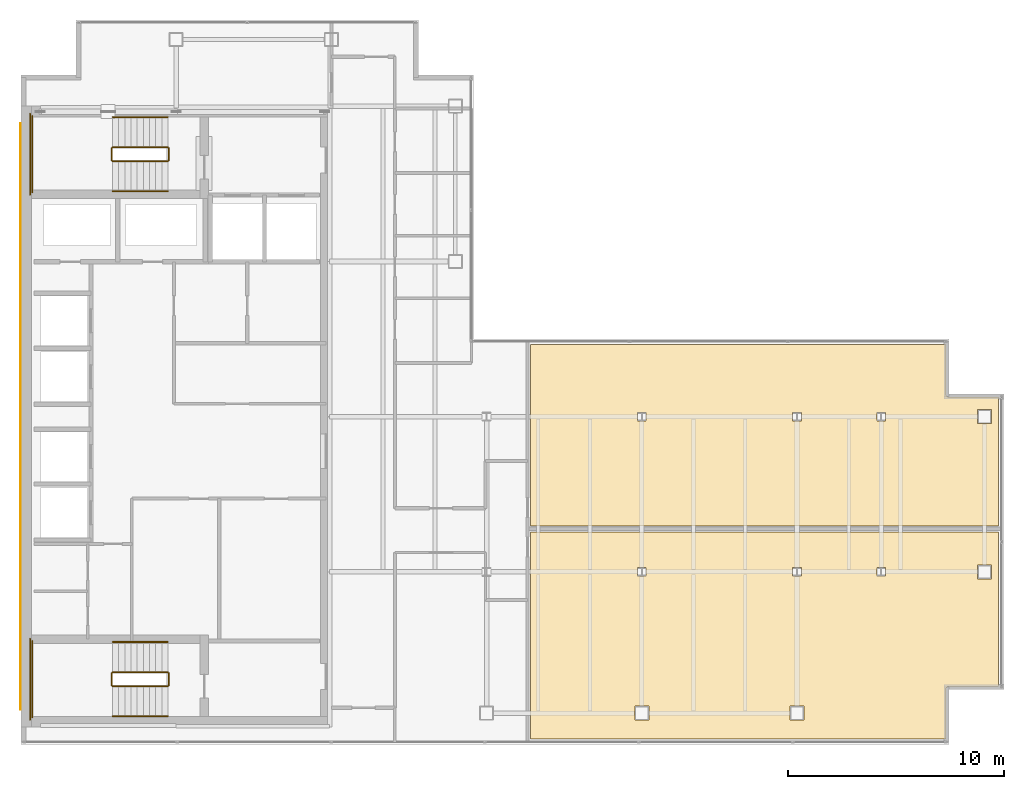
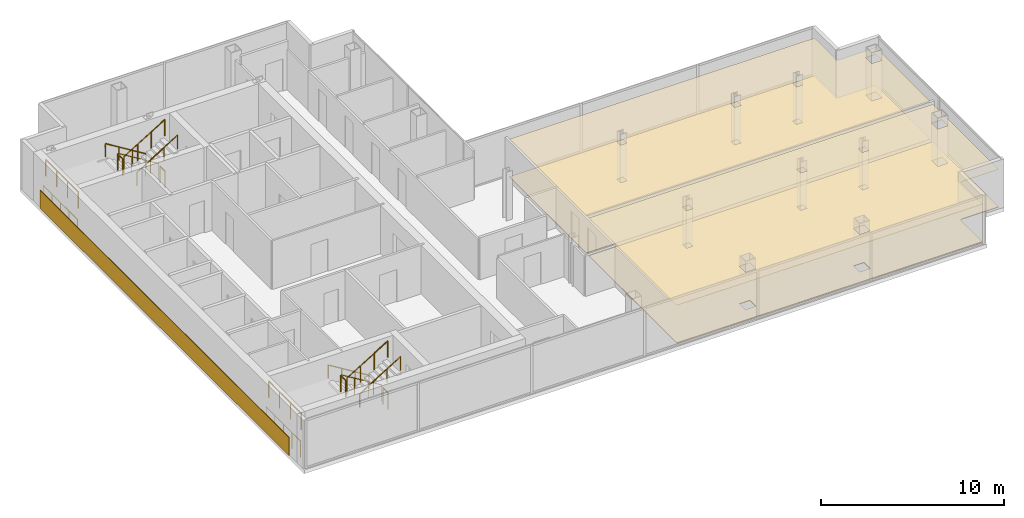
# One storey, part 23 of 23: 16 railings, 5 coverings.
"""IFC4 building model written with IfcOpenShell, lengths in metres."""

import ifcopenshell
import ifcopenshell.guid

model = None  # the IFC model being written
_history = None  # IfcOwnerHistory: only IFC2X3 demands one
_inside = {}  # id of a spatial element -> (the spatial element, [elements in it])
_under = {}  # id of a project, library or spatial element -> (it, [spatial elements below it])
_declared = {}  # id of a project -> (the project, [libraries it declares])
_typed = {}  # id of a type object -> (the type object, [elements of that type])
_made_of = {}  # id of a material, layer set ... -> (it, [elements and type objects made of it])


def new_model(schema):
    """Start an empty IFC model of exactly this schema.

    Asked for "IFC4X3", IfcOpenShell would pick the latest addendum, in which some entities
    have other attributes; the version numbers below select the first issue.
    IFC2X3 requires an IfcOwnerHistory on every rooted entity: one is made here for all.
    """
    global model, _history
    if schema == "IFC4X3":
        model = ifcopenshell.file(schema_version=(4, 3, 0, 0))
    else:
        model = ifcopenshell.file(schema=schema)
    _inside.clear()
    _under.clear()
    _declared.clear()
    _typed.clear()
    _made_of.clear()
    _history = None
    if model.schema == "IFC2X3":
        org = make("IfcOrganization", Name="unknown")
        user = make(
            "IfcPersonAndOrganization",
            ThePerson=make("IfcPerson", FamilyName="unknown"),
            TheOrganization=org,
        )
        app = make(
            "IfcApplication",
            ApplicationDeveloper=org,
            Version="unknown",
            ApplicationFullName="unknown",
            ApplicationIdentifier="unknown",
        )
        _history = make(
            "IfcOwnerHistory",
            OwningUser=user,
            OwningApplication=app,
            ChangeAction="ADDED",
            CreationDate=0,
        )
    return model


def make(cls, **values):
    """One entity of the class cls with the attributes given. An attribute that is None is left unset."""
    return model.create_entity(
        cls, **{name: value for name, value in values.items() if value is not None}
    )


def rooted(cls, **values):
    """An entity with a GlobalId (a new one), such as an element, a storey or a relation."""
    return make(cls, GlobalId=ifcopenshell.guid.new(), OwnerHistory=_history, **values)


def si_unit(unit_type, name, prefix=None):
    """IfcSIUnit, for example si_unit("LENGTHUNIT", "METRE", prefix="MILLI")."""
    return make("IfcSIUnit", UnitType=unit_type, Prefix=prefix, Name=name)


def assignment(units):
    """IfcUnitAssignment: the units of a project."""
    return None if units is None else make("IfcUnitAssignment", Units=units)


def point(xyz):
    """IfcCartesianPoint."""
    return None if xyz is None else make("IfcCartesianPoint", Coordinates=xyz)


def direction(xyz):
    """IfcDirection."""
    return None if xyz is None else make("IfcDirection", DirectionRatios=xyz)


def frame(location, z_axis=None, x_axis=None):
    """IfcAxis2Placement3D, a coordinate frame: its origin and axes. An axis left out is left unset."""
    return make(
        "IfcAxis2Placement3D",
        Location=point(location),
        Axis=direction(z_axis),
        RefDirection=direction(x_axis),
    )


def frame_2d(location, x_axis=None):
    """IfcAxis2Placement2D, a coordinate frame in the plane: its origin and x axis."""
    return make(
        "IfcAxis2Placement2D", Location=point(location), RefDirection=direction(x_axis)
    )


def origin():
    """The frame at (0, 0, 0) with its axes left unset."""
    return frame((0.0, 0.0, 0.0))


def origin_2d():
    """The frame at (0, 0) in the plane with its x axis left unset."""
    return frame_2d((0.0, 0.0))


def place(relative_to, where):
    """IfcLocalPlacement: puts the frame where relative to a parent placement (None: the world)."""
    return make(
        "IfcLocalPlacement", PlacementRelTo=relative_to, RelativePlacement=where
    )


def context(
    kind, dimensions, precision=None, world=None, true_north=None, identifier=None
):
    """IfcGeometricRepresentationContext, for example the 3D "Model" context."""
    return make(
        "IfcGeometricRepresentationContext",
        ContextIdentifier=identifier,
        ContextType=kind,
        CoordinateSpaceDimension=dimensions,
        Precision=precision,
        WorldCoordinateSystem=world,
        TrueNorth=true_north,
    )


def subcontext(parent, identifier, kind, view, scale=None):
    """IfcGeometricRepresentationSubContext, for example "Body" below "Model"."""
    return make(
        "IfcGeometricRepresentationSubContext",
        ContextIdentifier=identifier,
        ContextType=kind,
        ParentContext=parent,
        TargetScale=scale,
        TargetView=view,
    )


def project(units=None, contexts=None):
    """IfcProject with its units and contexts."""
    return rooted(
        "IfcProject",
        Name="project",
        RepresentationContexts=contexts,
        UnitsInContext=assignment(units),
    )


def spatial(cls, under=None, at=None, **own):
    """A site, building, storey or space (cls), placed at a placement, below another one or the project."""
    s = rooted(cls, ObjectPlacement=at, **own)
    if under is not None:
        _under.setdefault(under.id(), (under, []))[1].append(s)
    return s


def polyline(points):
    """IfcPolyline through the points."""
    return make("IfcPolyline", Points=[point(p) for p in points])


def profile(cls, at=None, kind="AREA", **sizes):
    """A parametric profile (cls). Its sizes go by their IFC names, for example OverallWidth=200.0."""
    return make(cls, ProfileType=kind, Position=at, **sizes)


def circle(**sizes):
    """IfcCircleProfileDef."""
    return profile("IfcCircleProfileDef", **sizes)


def outline(outer, holes=None, kind="AREA"):
    """IfcArbitraryClosedProfileDef: a profile drawn as a closed curve; with holes, ...WithVoids."""
    if holes is None:
        return make("IfcArbitraryClosedProfileDef", ProfileType=kind, OuterCurve=outer)
    return make(
        "IfcArbitraryProfileDefWithVoids",
        ProfileType=kind,
        OuterCurve=outer,
        InnerCurves=holes,
    )


def extrude(swept, where, along, depth):
    """IfcExtrudedAreaSolid: the profile swept, set in the frame where, extruded along a direction by depth."""
    return make(
        "IfcExtrudedAreaSolid",
        SweptArea=swept,
        Position=where,
        ExtrudedDirection=direction(along),
        Depth=depth,
    )


def shape(context_of_items, identifier, shape_type, items):
    """IfcShapeRepresentation: the items that make up one representation, for example the "Body"."""
    return make(
        "IfcShapeRepresentation",
        ContextOfItems=context_of_items,
        RepresentationIdentifier=identifier,
        RepresentationType=shape_type,
        Items=items,
    )


def material(Name=None, Category=None):
    """IfcMaterial."""
    return make("IfcMaterial", Name=Name, Category=Category)


def layer(
    of_material, thickness, ventilated=None, Name=None, Category=None, Priority=None
):
    """IfcMaterialLayer: one layer of a wall or slab, of a material (None: an air gap)."""
    return make(
        "IfcMaterialLayer",
        Material=of_material,
        LayerThickness=thickness,
        IsVentilated=ventilated,
        Name=Name,
        Category=Category,
        Priority=Priority,
    )


def layer_set(layers, Name=None):
    """IfcMaterialLayerSet."""
    return make("IfcMaterialLayerSet", MaterialLayers=layers, LayerSetName=Name)


def made_of(thing, what):
    """Note that an element or type object is made of a material, layer set ...; save() writes the relation."""
    if what is not None:
        _made_of.setdefault(what.id(), (what, []))[1].append(thing)
    return thing


def type_object(cls, material=None, **own):
    """A type object (cls), such as IfcWallType, which elements share."""
    return made_of(rooted(cls, **own), material)


def element(
    cls,
    number,
    at=None,
    inside=None,
    cuts=None,
    type_object=None,
    material=None,
    context=None,
    identifier="Body",
    shape_type=None,
    held_by="IfcProductDefinitionShape",
    body=None,
    shapes=None,
    **own,
):
    """One element of the class cls, such as IfcWall. Its Tag is "e" and its number.

    at: its placement. inside: the storey or other place that contains it. cuts: it is an
    opening in that element (IfcRelVoidsElement). A single representation is given by context,
    identifier, shape_type and body (its items); several are given by shapes. held_by: the class
    of the entity that holds the representations. save() writes the other relations.
    """
    e = rooted(cls, Tag="e%d" % number, ObjectPlacement=at, **own)
    if body is not None:
        shapes = [shape(context, identifier, shape_type, body)]
    if shapes is not None:
        e.Representation = make(held_by, Representations=shapes)
    if inside is not None:
        _inside.setdefault(inside.id(), (inside, []))[1].append(e)
    if cuts is not None:
        rooted(
            "IfcRelVoidsElement", RelatingBuildingElement=cuts, RelatedOpeningElement=e
        )
    if type_object is not None:
        _typed.setdefault(type_object.id(), (type_object, []))[1].append(e)
    return made_of(e, material)


def aggregate(whole, parts):
    """IfcRelAggregates: a whole, such as a stair, and the parts it consists of."""
    return rooted("IfcRelAggregates", RelatingObject=whole, RelatedObjects=parts)


def save(model, path):
    """Write the relations noted so far, then the file.

    IfcRelAggregates (storeys below a building ...), IfcRelContainedInSpatialStructure (elements
    in a storey), IfcRelDefinesByType, IfcRelAssociatesMaterial and IfcRelDeclares: one each for
    every whole, place, type object, material and project.
    """
    for whole, parts in _under.values():
        aggregate(whole, parts)
    for where, things in _inside.values():
        rooted(
            "IfcRelContainedInSpatialStructure",
            RelatedElements=things,
            RelatingStructure=where,
        )
    for kind, things in _typed.values():
        rooted("IfcRelDefinesByType", RelatedObjects=things, RelatingType=kind)
    for what, things in _made_of.values():
        rooted("IfcRelAssociatesMaterial", RelatedObjects=things, RelatingMaterial=what)
    for by, libraries in _declared.values():
        rooted("IfcRelDeclares", RelatingContext=by, RelatedDefinitions=libraries)
    model.write(path)


model = new_model("IFC4")

# Units and contexts
model_context = context("Model", 3, precision=1e-05, world=origin(), true_north=direction((0.0, 1.0)))
body_context = subcontext(model_context, "Body", "Model", "MODEL_VIEW")
ifc_project = project(units=[si_unit("LENGTHUNIT", "METRE"), si_unit("AREAUNIT", "SQUARE_METRE"), si_unit("VOLUMEUNIT", "CUBIC_METRE"), si_unit("PLANEANGLEUNIT", "RADIAN"), si_unit("MASSUNIT", "GRAM", prefix="KILO")], contexts=[model_context])

# Site, building, storey
site_placement = place(None, origin())
site = spatial("IfcSite", under=ifc_project, at=site_placement, CompositionType="ELEMENT")
building_placement = place(site_placement, origin())
building = spatial("IfcBuilding", under=site, at=building_placement, Name="Cobrela Telecom Tower", CompositionType="ELEMENT")
storey_placement = place(building_placement, frame((0.0, 0.0, 251.64990234375)))
storey = spatial("IfcBuildingStorey", under=building, at=storey_placement, Name="L65", CompositionType="ELEMENT", Elevation=251.64990234375)

# Coverings
ifc_material_1 = material(Name="Mineral Fibre Acoustic Ceiling Tile")
ifc_layer_1 = layer(ifc_material_1, 0.02490234375)
ifc_layer_set_1 = layer_set([ifc_layer_1], Name="Mineral Fibre Acoustic Ceiling Tile")
covering_type_1 = type_object("IfcCoveringType", Name="COV-CEIL-ACT", PredefinedType="CEILING", material=ifc_layer_set_1)
covering_1_placement = place(storey_placement, frame((0.0, 0.0, 2.52001953125)))
element("IfcCovering", 1, at=covering_1_placement, inside=storey, type_object=covering_type_1, Name="L65 Engineering Conference Room 6 Suspended Acoustic Ceiling", PredefinedType="CEILING", context=body_context, shape_type="SweptSolid", body=[
    extrude(outline(polyline([(45.340087890625, 9.090087890625), (43.049072265625, 9.090087890625), (43.036376953125, 9.08935546875), (43.022705078125, 9.08740234375), (43.009521484375, 9.083984375), (42.996337890625, 9.079345703125), (42.98388671875, 9.073486328125), (42.97216796875, 9.06640625), (42.961181640625, 9.058349609375), (42.950927734375, 9.049072265625), (42.941650390625, 9.038818359375), (42.93359375, 9.02783203125), (42.926513671875, 9.01611328125), (42.920654296875, 9.003662109375), (42.916015625, 8.990478515625), (42.91259765625, 8.977294921875), (42.91064453125, 8.963623046875), (42.909912109375, 8.950927734375), (42.909912109375, 6.659912109375), (23.639892578125, 6.659912109375), (23.639892578125, 16.260009765625), (45.340087890625, 16.260009765625), (45.340087890625, 9.090087890625)]), holes=[polyline([(28.99951171875, 14.596923828125), (28.6005859375, 14.596923828125), (28.6005859375, 14.202880859375), (28.99951171875, 14.202880859375), (28.99951171875, 14.596923828125)]), polyline([(29.125, 8.175048828125), (28.47509765625, 8.175048828125), (28.47509765625, 7.52490234375), (29.125, 7.52490234375), (29.125, 8.175048828125)]), polyline([(36.324951171875, 8.175048828125), (35.675048828125, 8.175048828125), (35.675048828125, 7.52490234375), (36.324951171875, 7.52490234375), (36.324951171875, 8.175048828125)]), polyline([(36.199462890625, 14.596923828125), (35.800537109375, 14.596923828125), (35.800537109375, 14.202880859375), (36.199462890625, 14.202880859375), (36.199462890625, 14.596923828125)]), polyline([(40.099609375, 14.596923828125), (39.700439453125, 14.596923828125), (39.700439453125, 14.202880859375), (40.099609375, 14.202880859375), (40.099609375, 14.596923828125)]), polyline([(45.02490234375, 14.72509765625), (44.375, 14.72509765625), (44.375, 14.074951171875), (45.02490234375, 14.074951171875), (45.02490234375, 14.72509765625)])]), origin(), (0.0, 0.0, 1.0), 0.025146484375),
])
covering_2_placement = place(storey_placement, frame((0.0, 0.0, 2.52001953125)))
element("IfcCovering", 2, at=covering_2_placement, inside=storey, type_object=covering_type_1, Name="L65 Engineering Conference Room 7 Suspended Acoustic Ceiling", PredefinedType="CEILING", context=body_context, shape_type="SweptSolid", body=[
    extrude(outline(polyline([(42.909912109375, 24.93994140625), (42.909912109375, 22.64892578125), (42.91064453125, 22.63623046875), (42.91259765625, 22.622802734375), (42.916015625, 22.609375), (42.920654296875, 22.596435546875), (42.926513671875, 22.583984375), (42.93359375, 22.572021484375), (42.941650390625, 22.561279296875), (42.950927734375, 22.551025390625), (42.961181640625, 22.541748046875), (42.97216796875, 22.53369140625), (42.98388671875, 22.526611328125), (42.996337890625, 22.5205078125), (43.009521484375, 22.51611328125), (43.022705078125, 22.5126953125), (43.036376953125, 22.510498046875), (43.049072265625, 22.510009765625), (45.340087890625, 22.510009765625), (45.340087890625, 16.5400390625), (23.639892578125, 16.5400390625), (23.639892578125, 24.93994140625), (42.909912109375, 24.93994140625)]), holes=[polyline([(28.99951171875, 21.797119140625), (28.6005859375, 21.797119140625), (28.6005859375, 21.403076171875), (28.99951171875, 21.403076171875), (28.99951171875, 21.797119140625)]), polyline([(36.199462890625, 21.797119140625), (35.800537109375, 21.797119140625), (35.800537109375, 21.403076171875), (36.199462890625, 21.403076171875), (36.199462890625, 21.797119140625)]), polyline([(40.099609375, 21.403076171875), (40.099609375, 21.797119140625), (39.700439453125, 21.797119140625), (39.700439453125, 21.403076171875), (40.099609375, 21.403076171875)]), polyline([(45.02490234375, 21.27490234375), (45.02490234375, 21.925048828125), (44.375, 21.925048828125), (44.375, 21.27490234375), (45.02490234375, 21.27490234375)])]), origin(), (0.0, 0.0, 1.0), 0.025146484375),
])
ifc_material_2 = material(Name="Bogota Terracotta Architectural Stone", Category="masonry")
ifc_layer_2 = layer(ifc_material_2, 0.0400390625)
ifc_layer_set_2 = layer_set([ifc_layer_2], Name="Bogota Terracotta Architectural Stone")
covering_type_2 = type_object("IfcCoveringType", Name="COV-CLAD-TERRA", PredefinedType="CLADDING", material=ifc_layer_set_2)
covering_3_placement = place(storey_placement, origin())
element("IfcCovering", 3, at=covering_3_placement, inside=storey, type_object=covering_type_2, Name="L65 West Core Terracotta Spandrel Cladding Band", PredefinedType="CLADDING", context=body_context, shape_type="SweptSolid", body=[
    extrude(outline(polyline([(-0.0400390625, 8.0), (0.0, 8.0), (0.0, 35.199951171875), (-0.0400390625, 35.199951171875), (-0.0400390625, 8.0)])), origin(), (0.0, 0.0, 1.0), 1.2001953125),
])
ifc_material_3 = material(Name="Honed Colombian Basalt Stone", Category="masonry")
ifc_layer_3 = layer(ifc_material_3, 0.0400390625)
ifc_layer_set_3 = layer_set([ifc_layer_3], Name="Honed Colombian Basalt Stone")
covering_type_3 = type_object("IfcCoveringType", Name="COV-FLR-STONE", PredefinedType="FLOORING", material=ifc_layer_set_3)
covering_4_placement = place(storey_placement, origin())
element("IfcCovering", 4, at=covering_4_placement, inside=storey, type_object=covering_type_3, Name="L65 Engineering Conference Room 6 Raised Technical Flooring", PredefinedType="FLOORING", context=body_context, shape_type="SweptSolid", body=[
    extrude(outline(polyline([(45.340087890625, 9.090087890625), (43.049072265625, 9.090087890625), (43.036376953125, 9.08935546875), (43.022705078125, 9.08740234375), (43.009521484375, 9.083984375), (42.996337890625, 9.079345703125), (42.98388671875, 9.073486328125), (42.97216796875, 9.06640625), (42.961181640625, 9.058349609375), (42.950927734375, 9.049072265625), (42.941650390625, 9.038818359375), (42.93359375, 9.02783203125), (42.926513671875, 9.01611328125), (42.920654296875, 9.003662109375), (42.916015625, 8.990478515625), (42.91259765625, 8.977294921875), (42.91064453125, 8.963623046875), (42.909912109375, 8.950927734375), (42.909912109375, 6.659912109375), (23.639892578125, 6.659912109375), (23.639892578125, 16.260009765625), (45.340087890625, 16.260009765625), (45.340087890625, 9.090087890625)]), holes=[polyline([(28.99951171875, 14.596923828125), (28.6005859375, 14.596923828125), (28.6005859375, 14.202880859375), (28.99951171875, 14.202880859375), (28.99951171875, 14.596923828125)]), polyline([(29.125, 8.175048828125), (28.47509765625, 8.175048828125), (28.47509765625, 7.52490234375), (29.125, 7.52490234375), (29.125, 8.175048828125)]), polyline([(36.324951171875, 8.175048828125), (35.675048828125, 8.175048828125), (35.675048828125, 7.52490234375), (36.324951171875, 7.52490234375), (36.324951171875, 8.175048828125)]), polyline([(36.199462890625, 14.596923828125), (35.800537109375, 14.596923828125), (35.800537109375, 14.202880859375), (36.199462890625, 14.202880859375), (36.199462890625, 14.596923828125)]), polyline([(40.099609375, 14.596923828125), (39.700439453125, 14.596923828125), (39.700439453125, 14.202880859375), (40.099609375, 14.202880859375), (40.099609375, 14.596923828125)]), polyline([(45.02490234375, 14.72509765625), (44.375, 14.72509765625), (44.375, 14.074951171875), (45.02490234375, 14.074951171875), (45.02490234375, 14.72509765625)])]), origin(), (0.0, 0.0, 1.0), 0.0400390625),
])
covering_5_placement = place(storey_placement, origin())
element("IfcCovering", 5, at=covering_5_placement, inside=storey, type_object=covering_type_3, Name="L65 Engineering Conference Room 7 Raised Technical Flooring", PredefinedType="FLOORING", context=body_context, shape_type="SweptSolid", body=[
    extrude(outline(polyline([(42.909912109375, 24.93994140625), (42.909912109375, 22.64892578125), (42.91064453125, 22.63623046875), (42.91259765625, 22.622802734375), (42.916015625, 22.609375), (42.920654296875, 22.596435546875), (42.926513671875, 22.583984375), (42.93359375, 22.572021484375), (42.941650390625, 22.561279296875), (42.950927734375, 22.551025390625), (42.961181640625, 22.541748046875), (42.97216796875, 22.53369140625), (42.98388671875, 22.526611328125), (42.996337890625, 22.5205078125), (43.009521484375, 22.51611328125), (43.022705078125, 22.5126953125), (43.036376953125, 22.510498046875), (43.049072265625, 22.510009765625), (45.340087890625, 22.510009765625), (45.340087890625, 16.5400390625), (23.639892578125, 16.5400390625), (23.639892578125, 24.93994140625), (42.909912109375, 24.93994140625)]), holes=[polyline([(28.99951171875, 21.797119140625), (28.6005859375, 21.797119140625), (28.6005859375, 21.403076171875), (28.99951171875, 21.403076171875), (28.99951171875, 21.797119140625)]), polyline([(36.199462890625, 21.797119140625), (35.800537109375, 21.797119140625), (35.800537109375, 21.403076171875), (36.199462890625, 21.403076171875), (36.199462890625, 21.797119140625)]), polyline([(40.099609375, 21.403076171875), (40.099609375, 21.797119140625), (39.700439453125, 21.797119140625), (39.700439453125, 21.403076171875), (40.099609375, 21.403076171875)]), polyline([(45.02490234375, 21.27490234375), (45.02490234375, 21.925048828125), (44.375, 21.925048828125), (44.375, 21.27490234375), (45.02490234375, 21.27490234375)])]), origin(), (0.0, 0.0, 1.0), 0.0400390625),
])

# Railings
ifc_material_4 = material(Name="Steel ASTM A36", Category="steel")
railing_type_1 = type_object("IfcRailingType", Name="RAIL-GUARD-1100", PredefinedType="GUARDRAIL", material=ifc_material_4)
railing_1_placement = place(storey_placement, frame((6.820068359375, 34.10009765625, 0.175048828125)))
element("IfcRailing", 6, at=railing_1_placement, inside=storey, type_object=railing_type_1, Name="L65 ST1 stair guard 1", PredefinedType="GUARDRAIL", context=body_context, shape_type="SweptSolid", body=[
    extrude(circle(Radius=0.02392578125, at=origin_2d()), frame((0.0, 0.0, 1.076171875), z_axis=(-0.852195335862, 0.0, 0.523223766217), x_axis=(0.0, -1.0, 0.0)), (0.0, 0.0, 1.0), 3.010009765625),
    extrude(circle(Radius=0.02099609375, at=origin_2d()), origin(), (0.0, 0.0, 1.0), 1.052001953125),
    extrude(circle(Radius=0.02099609375, at=origin_2d()), frame((-0.85498046875, 0.0, 0.52490234375)), (0.0, 0.0, 1.0), 1.052001953125),
    extrude(circle(Radius=0.02099609375, at=origin_2d()), frame((-1.710205078125, 0.0, 1.050048828125)), (0.0, 0.0, 1.0), 1.052001953125),
    extrude(circle(Radius=0.02099609375, at=origin_2d()), frame((-2.565185546875, 0.0, 1.574951171875)), (0.0, 0.0, 1.0), 1.052001953125),
])
railing_2_placement = place(storey_placement, frame((4.205078125, 34.050048828125, 1.75)))
element("IfcRailing", 7, at=railing_2_placement, inside=storey, type_object=railing_type_1, Name="L65 ST1 stair guard 2", PredefinedType="GUARDRAIL", context=body_context, shape_type="SweptSolid", body=[
    extrude(circle(Radius=0.02392578125, at=origin_2d()), frame((0.0, 0.0, 1.076171875), z_axis=(0.0, -1.0, 0.0), x_axis=(1.0, 0.0, 0.0)), (0.0, 0.0, 1.0), 0.550048828125),
    extrude(circle(Radius=0.02099609375, at=origin_2d()), origin(), (0.0, 0.0, 1.0), 1.052001953125),
    extrude(circle(Radius=0.02099609375, at=origin_2d()), frame((0.0, -0.550048828125, 0.0)), (0.0, 0.0, 1.0), 1.052001953125),
])
railing_3_placement = place(storey_placement, frame((0.530029296875, 35.550048828125, 1.75)))
element("IfcRailing", 8, at=railing_3_placement, inside=storey, type_object=railing_type_1, Name="L65 ST1 stair guard 3", PredefinedType="GUARDRAIL", context=body_context, shape_type="SweptSolid", body=[
    extrude(circle(Radius=0.02392578125, at=origin_2d()), frame((0.0, 0.0, 1.076171875), z_axis=(0.0, -1.0, 0.0), x_axis=(1.0, 0.0, 0.0)), (0.0, 0.0, 1.0), 3.550048828125),
    extrude(circle(Radius=0.02099609375, at=origin_2d()), origin(), (0.0, 0.0, 1.0), 1.052001953125),
    extrude(circle(Radius=0.02099609375, at=origin_2d()), frame((0.0, -1.183349609375, 0.0)), (0.0, 0.0, 1.0), 1.052001953125),
    extrude(circle(Radius=0.02099609375, at=origin_2d()), frame((0.0, -2.36669921875, 0.0)), (0.0, 0.0, 1.0), 1.052001953125),
    extrude(circle(Radius=0.02099609375, at=origin_2d()), frame((0.0, -3.550048828125, 0.0)), (0.0, 0.0, 1.0), 1.052001953125),
])
railing_4_placement = place(storey_placement, frame((4.2548828125, 33.449951171875, 1.925048828125)))
element("IfcRailing", 9, at=railing_4_placement, inside=storey, type_object=railing_type_1, Name="L65 ST1 stair guard 4", PredefinedType="GUARDRAIL", context=body_context, shape_type="SweptSolid", body=[
    extrude(circle(Radius=0.02392578125, at=origin_2d()), frame((0.0, 0.0, 1.076171875), z_axis=(0.852195335862, 0.0, 0.523223766217), x_axis=(0.0, 1.0, 0.0)), (0.0, 0.0, 1.0), 3.010009765625),
    extrude(circle(Radius=0.02099609375, at=origin_2d()), origin(), (0.0, 0.0, 1.0), 1.052001953125),
    extrude(circle(Radius=0.02099609375, at=origin_2d()), frame((0.85498046875, 0.0, 0.52490234375)), (0.0, 0.0, 1.0), 1.052001953125),
    extrude(circle(Radius=0.02099609375, at=origin_2d()), frame((1.710205078125, 0.0, 1.050048828125)), (0.0, 0.0, 1.0), 1.052001953125),
    extrude(circle(Radius=0.02099609375, at=origin_2d()), frame((2.565185546875, 0.0, 1.574951171875)), (0.0, 0.0, 1.0), 1.052001953125),
])
railing_5_placement = place(storey_placement, frame((6.8701171875, 34.050048828125, 0.0)))
element("IfcRailing", 10, at=railing_5_placement, inside=storey, type_object=railing_type_1, Name="L65 ST1 stair guard 5", PredefinedType="GUARDRAIL", context=body_context, shape_type="SweptSolid", body=[
    extrude(circle(Radius=0.02392578125, at=origin_2d()), frame((0.0, 0.0, 1.076171875), z_axis=(0.0, -1.0, 0.0), x_axis=(1.0, 0.0, 0.0)), (0.0, 0.0, 1.0), 0.550048828125),
    extrude(circle(Radius=0.02099609375, at=origin_2d()), origin(), (0.0, 0.0, 1.0), 1.052001953125),
    extrude(circle(Radius=0.02099609375, at=origin_2d()), frame((0.0, -0.550048828125, 0.0)), (0.0, 0.0, 1.0), 1.052001953125),
])
railing_6_placement = place(storey_placement, frame((0.429931640625, 35.64990234375, 0.0)))
element("IfcRailing", 11, at=railing_6_placement, inside=storey, type_object=railing_type_1, Name="L65 ST1 stair guard 6", PredefinedType="GUARDRAIL", context=body_context, shape_type="SweptSolid", body=[
    extrude(circle(Radius=0.02392578125, at=origin_2d()), frame((0.0, 0.0, 1.076171875), z_axis=(0.0, -1.0, 0.0), x_axis=(1.0, 0.0, 0.0)), (0.0, 0.0, 1.0), 3.75),
    extrude(circle(Radius=0.02099609375, at=origin_2d()), origin(), (0.0, 0.0, 1.0), 1.052001953125),
    extrude(circle(Radius=0.02099609375, at=origin_2d()), frame((0.0, -0.9375, 0.0)), (0.0, 0.0, 1.0), 1.052001953125),
    extrude(circle(Radius=0.02099609375, at=origin_2d()), frame((0.0, -1.875, 0.0)), (0.0, 0.0, 1.0), 1.052001953125),
    extrude(circle(Radius=0.02099609375, at=origin_2d()), frame((0.0, -2.8125, 0.0)), (0.0, 0.0, 1.0), 1.052001953125),
    extrude(circle(Radius=0.02099609375, at=origin_2d()), frame((0.0, -3.75, 0.0)), (0.0, 0.0, 1.0), 1.052001953125),
])
railing_7_placement = place(storey_placement, frame((6.820068359375, 9.75, 0.175048828125)))
element("IfcRailing", 12, at=railing_7_placement, inside=storey, type_object=railing_type_1, Name="L65 ST2 stair guard 1", PredefinedType="GUARDRAIL", context=body_context, shape_type="SweptSolid", body=[
    extrude(circle(Radius=0.02392578125, at=origin_2d()), frame((0.0, 0.0, 1.076171875), z_axis=(-0.852195335862, 0.0, 0.523223766217), x_axis=(0.0, -1.0, 0.0)), (0.0, 0.0, 1.0), 3.010009765625),
    extrude(circle(Radius=0.02099609375, at=origin_2d()), origin(), (0.0, 0.0, 1.0), 1.052001953125),
    extrude(circle(Radius=0.02099609375, at=origin_2d()), frame((-0.85498046875, 0.0, 0.52490234375)), (0.0, 0.0, 1.0), 1.052001953125),
    extrude(circle(Radius=0.02099609375, at=origin_2d()), frame((-1.710205078125, 0.0, 1.050048828125)), (0.0, 0.0, 1.0), 1.052001953125),
    extrude(circle(Radius=0.02099609375, at=origin_2d()), frame((-2.565185546875, 0.0, 1.574951171875)), (0.0, 0.0, 1.0), 1.052001953125),
])
railing_8_placement = place(storey_placement, frame((4.205078125, 9.699951171875, 1.75)))
element("IfcRailing", 13, at=railing_8_placement, inside=storey, type_object=railing_type_1, Name="L65 ST2 stair guard 2", PredefinedType="GUARDRAIL", context=body_context, shape_type="SweptSolid", body=[
    extrude(circle(Radius=0.02392578125, at=origin_2d()), frame((0.0, 0.0, 1.076171875), z_axis=(0.0, -1.0, 0.0), x_axis=(1.0, 0.0, 0.0)), (0.0, 0.0, 1.0), 0.550048828125),
    extrude(circle(Radius=0.02099609375, at=origin_2d()), origin(), (0.0, 0.0, 1.0), 1.052001953125),
    extrude(circle(Radius=0.02099609375, at=origin_2d()), frame((0.0, -0.550048828125, 0.0)), (0.0, 0.0, 1.0), 1.052001953125),
])
railing_9_placement = place(storey_placement, frame((0.530029296875, 11.199951171875, 1.75)))
element("IfcRailing", 14, at=railing_9_placement, inside=storey, type_object=railing_type_1, Name="L65 ST2 stair guard 3", PredefinedType="GUARDRAIL", context=body_context, shape_type="SweptSolid", body=[
    extrude(circle(Radius=0.02392578125, at=origin_2d()), frame((0.0, 0.0, 1.076171875), z_axis=(0.0, -1.0, 0.0), x_axis=(1.0, 0.0, 0.0)), (0.0, 0.0, 1.0), 3.550048828125),
    extrude(circle(Radius=0.02099609375, at=origin_2d()), origin(), (0.0, 0.0, 1.0), 1.052001953125),
    extrude(circle(Radius=0.02099609375, at=origin_2d()), frame((0.0, -1.183349609375, 0.0)), (0.0, 0.0, 1.0), 1.052001953125),
    extrude(circle(Radius=0.02099609375, at=origin_2d()), frame((0.0, -2.36669921875, 0.0)), (0.0, 0.0, 1.0), 1.052001953125),
    extrude(circle(Radius=0.02099609375, at=origin_2d()), frame((0.0, -3.550048828125, 0.0)), (0.0, 0.0, 1.0), 1.052001953125),
])
railing_10_placement = place(storey_placement, frame((4.2548828125, 9.10009765625, 1.925048828125)))
element("IfcRailing", 15, at=railing_10_placement, inside=storey, type_object=railing_type_1, Name="L65 ST2 stair guard 4", PredefinedType="GUARDRAIL", context=body_context, shape_type="SweptSolid", body=[
    extrude(circle(Radius=0.02392578125, at=origin_2d()), frame((0.0, 0.0, 1.076171875), z_axis=(0.852195335862, 0.0, 0.523223766217), x_axis=(0.0, 1.0, 0.0)), (0.0, 0.0, 1.0), 3.010009765625),
    extrude(circle(Radius=0.02099609375, at=origin_2d()), origin(), (0.0, 0.0, 1.0), 1.052001953125),
    extrude(circle(Radius=0.02099609375, at=origin_2d()), frame((0.85498046875, 0.0, 0.52490234375)), (0.0, 0.0, 1.0), 1.052001953125),
    extrude(circle(Radius=0.02099609375, at=origin_2d()), frame((1.710205078125, 0.0, 1.050048828125)), (0.0, 0.0, 1.0), 1.052001953125),
    extrude(circle(Radius=0.02099609375, at=origin_2d()), frame((2.565185546875, 0.0, 1.574951171875)), (0.0, 0.0, 1.0), 1.052001953125),
])
railing_11_placement = place(storey_placement, frame((6.8701171875, 9.699951171875, 0.0)))
element("IfcRailing", 16, at=railing_11_placement, inside=storey, type_object=railing_type_1, Name="L65 ST2 stair guard 5", PredefinedType="GUARDRAIL", context=body_context, shape_type="SweptSolid", body=[
    extrude(circle(Radius=0.02392578125, at=origin_2d()), frame((0.0, 0.0, 1.076171875), z_axis=(0.0, -1.0, 0.0), x_axis=(1.0, 0.0, 0.0)), (0.0, 0.0, 1.0), 0.550048828125),
    extrude(circle(Radius=0.02099609375, at=origin_2d()), origin(), (0.0, 0.0, 1.0), 1.052001953125),
    extrude(circle(Radius=0.02099609375, at=origin_2d()), frame((0.0, -0.550048828125, 0.0)), (0.0, 0.0, 1.0), 1.052001953125),
])
railing_12_placement = place(storey_placement, frame((0.429931640625, 11.300048828125, 0.0)))
element("IfcRailing", 17, at=railing_12_placement, inside=storey, type_object=railing_type_1, Name="L65 ST2 stair guard 6", PredefinedType="GUARDRAIL", context=body_context, shape_type="SweptSolid", body=[
    extrude(circle(Radius=0.02392578125, at=origin_2d()), frame((0.0, 0.0, 1.076171875), z_axis=(0.0, -1.0, 0.0), x_axis=(1.0, 0.0, 0.0)), (0.0, 0.0, 1.0), 3.75),
    extrude(circle(Radius=0.02099609375, at=origin_2d()), origin(), (0.0, 0.0, 1.0), 1.052001953125),
    extrude(circle(Radius=0.02099609375, at=origin_2d()), frame((0.0, -0.9375, 0.0)), (0.0, 0.0, 1.0), 1.052001953125),
    extrude(circle(Radius=0.02099609375, at=origin_2d()), frame((0.0, -1.875, 0.0)), (0.0, 0.0, 1.0), 1.052001953125),
    extrude(circle(Radius=0.02099609375, at=origin_2d()), frame((0.0, -2.8125, 0.0)), (0.0, 0.0, 1.0), 1.052001953125),
    extrude(circle(Radius=0.02099609375, at=origin_2d()), frame((0.0, -3.75, 0.0)), (0.0, 0.0, 1.0), 1.052001953125),
])
railing_type_2 = type_object("IfcRailingType", Name="RAIL-HAND-920", PredefinedType="HANDRAIL", material=ifc_material_4)
railing_13_placement = place(storey_placement, frame((6.820068359375, 35.5, 0.175048828125)))
element("IfcRailing", 18, at=railing_13_placement, inside=storey, type_object=railing_type_2, Name="L65 ST1 stair handrail 1", PredefinedType="HANDRAIL", context=body_context, shape_type="SweptSolid", body=[
    extrude(circle(Radius=0.02392578125, at=origin_2d()), frame((0.0, 0.0, 0.8759765625), z_axis=(-0.852195335862, 0.0, 0.523223766217), x_axis=(0.0, -1.0, 0.0)), (0.0, 0.0, 1.0), 3.010009765625),
    extrude(circle(Radius=0.02099609375, at=origin_2d()), origin(), (0.0, 0.0, 1.0), 0.851806640625),
    extrude(circle(Radius=0.02099609375, at=origin_2d()), frame((-0.85498046875, 0.0, 0.52490234375)), (0.0, 0.0, 1.0), 0.851806640625),
    extrude(circle(Radius=0.02099609375, at=origin_2d()), frame((-1.710205078125, 0.0, 1.050048828125)), (0.0, 0.0, 1.0), 0.851806640625),
    extrude(circle(Radius=0.02099609375, at=origin_2d()), frame((-2.565185546875, 0.0, 1.574951171875)), (0.0, 0.0, 1.0), 0.851806640625),
])
railing_14_placement = place(storey_placement, frame((4.2548828125, 32.050048828125, 1.925048828125)))
element("IfcRailing", 19, at=railing_14_placement, inside=storey, type_object=railing_type_2, Name="L65 ST1 stair handrail 2", PredefinedType="HANDRAIL", context=body_context, shape_type="SweptSolid", body=[
    extrude(circle(Radius=0.02392578125, at=origin_2d()), frame((0.0, 0.0, 0.8759765625), z_axis=(0.852195335862, 0.0, 0.523223766217), x_axis=(0.0, 1.0, 0.0)), (0.0, 0.0, 1.0), 3.010009765625),
    extrude(circle(Radius=0.02099609375, at=origin_2d()), origin(), (0.0, 0.0, 1.0), 0.851806640625),
    extrude(circle(Radius=0.02099609375, at=origin_2d()), frame((0.85498046875, 0.0, 0.52490234375)), (0.0, 0.0, 1.0), 0.851806640625),
    extrude(circle(Radius=0.02099609375, at=origin_2d()), frame((1.710205078125, 0.0, 1.050048828125)), (0.0, 0.0, 1.0), 0.851806640625),
    extrude(circle(Radius=0.02099609375, at=origin_2d()), frame((2.565185546875, 0.0, 1.574951171875)), (0.0, 0.0, 1.0), 0.851806640625),
])
railing_15_placement = place(storey_placement, frame((6.820068359375, 11.14990234375, 0.175048828125)))
element("IfcRailing", 20, at=railing_15_placement, inside=storey, type_object=railing_type_2, Name="L65 ST2 stair handrail 1", PredefinedType="HANDRAIL", context=body_context, shape_type="SweptSolid", body=[
    extrude(circle(Radius=0.02392578125, at=origin_2d()), frame((0.0, 0.0, 0.8759765625), z_axis=(-0.852195335862, 0.0, 0.523223766217), x_axis=(0.0, -1.0, 0.0)), (0.0, 0.0, 1.0), 3.010009765625),
    extrude(circle(Radius=0.02099609375, at=origin_2d()), origin(), (0.0, 0.0, 1.0), 0.851806640625),
    extrude(circle(Radius=0.02099609375, at=origin_2d()), frame((-0.85498046875, 0.0, 0.52490234375)), (0.0, 0.0, 1.0), 0.851806640625),
    extrude(circle(Radius=0.02099609375, at=origin_2d()), frame((-1.710205078125, 0.0, 1.050048828125)), (0.0, 0.0, 1.0), 0.851806640625),
    extrude(circle(Radius=0.02099609375, at=origin_2d()), frame((-2.565185546875, 0.0, 1.574951171875)), (0.0, 0.0, 1.0), 0.851806640625),
])
railing_16_placement = place(storey_placement, frame((4.2548828125, 7.699951171875, 1.925048828125)))
element("IfcRailing", 21, at=railing_16_placement, inside=storey, type_object=railing_type_2, Name="L65 ST2 stair handrail 2", PredefinedType="HANDRAIL", context=body_context, shape_type="SweptSolid", body=[
    extrude(circle(Radius=0.02392578125, at=origin_2d()), frame((0.0, 0.0, 0.8759765625), z_axis=(0.852195335862, 0.0, 0.523223766217), x_axis=(0.0, 1.0, 0.0)), (0.0, 0.0, 1.0), 3.010009765625),
    extrude(circle(Radius=0.02099609375, at=origin_2d()), origin(), (0.0, 0.0, 1.0), 0.851806640625),
    extrude(circle(Radius=0.02099609375, at=origin_2d()), frame((0.85498046875, 0.0, 0.52490234375)), (0.0, 0.0, 1.0), 0.851806640625),
    extrude(circle(Radius=0.02099609375, at=origin_2d()), frame((1.710205078125, 0.0, 1.050048828125)), (0.0, 0.0, 1.0), 0.851806640625),
    extrude(circle(Radius=0.02099609375, at=origin_2d()), frame((2.565185546875, 0.0, 1.574951171875)), (0.0, 0.0, 1.0), 0.851806640625),
])

save(model, "model.ifc")
